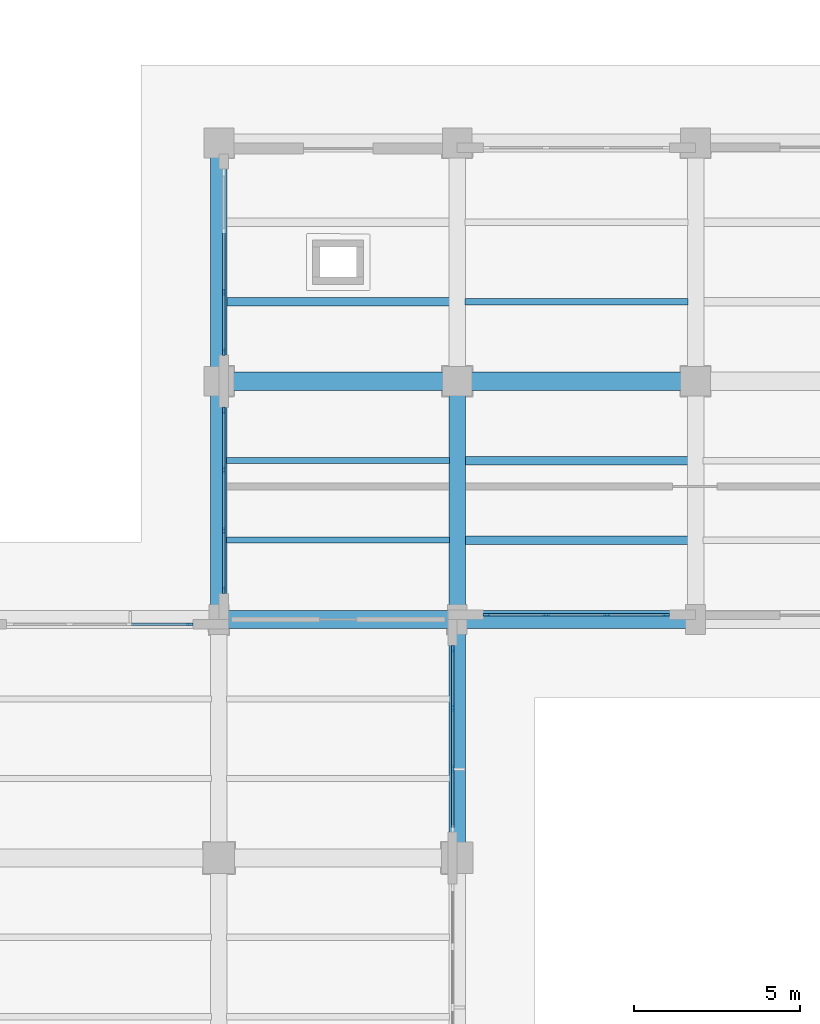
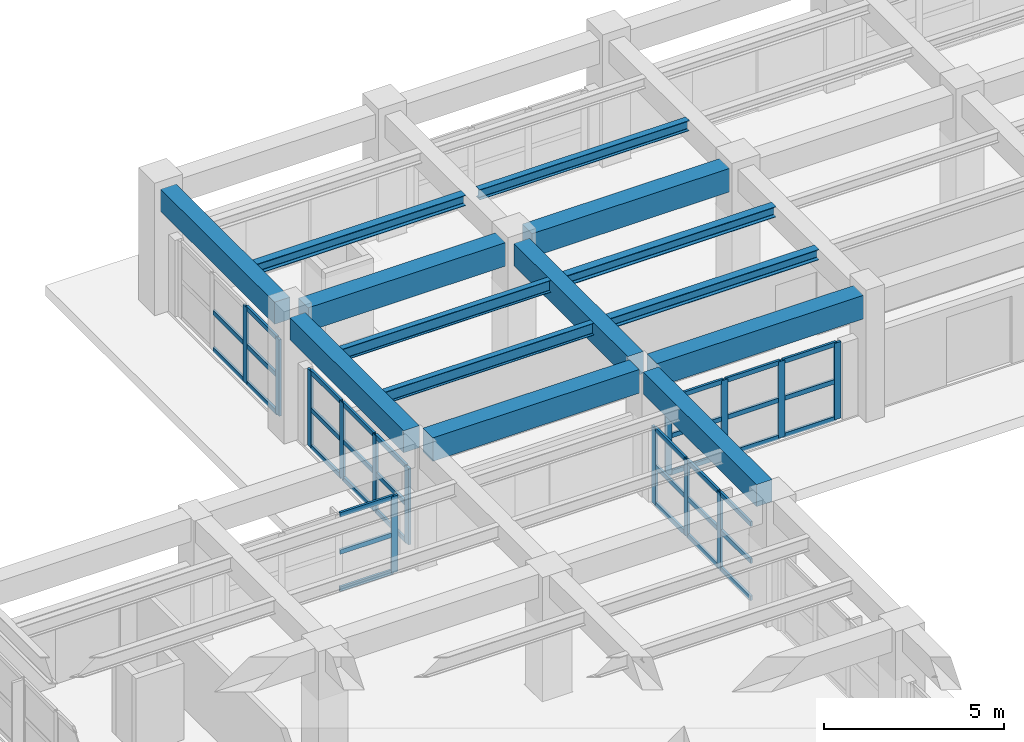
# One storey, part 20 of 64: 49 members, 14 beams, 5 elements without a shape of their own.
"""IFC4 building model written with IfcOpenShell, lengths in metres."""

from ifc_helpers import new_model, si_unit, direction, frame, origin, origin_2d, place, context, subcontext, project, spatial, rectangle, i_section, extrude, material, layer, layer_set, material_profile, profile_set, type_object, element, aggregate, save


model = new_model("IFC4")

# Units and contexts
model_context = context("Model", 3, precision=1e-05, world=origin(), true_north=direction((0.0, 1.0)))
body_context = subcontext(model_context, "Body", "Model", "MODEL_VIEW")
ifc_project = project(units=[si_unit("LENGTHUNIT", "METRE"), si_unit("AREAUNIT", "SQUARE_METRE"), si_unit("VOLUMEUNIT", "CUBIC_METRE"), si_unit("PLANEANGLEUNIT", "RADIAN"), si_unit("MASSUNIT", "GRAM", prefix="KILO")], contexts=[model_context])

# Site, building, storey
site_placement = place(None, origin())
site = spatial("IfcSite", under=ifc_project, at=site_placement, CompositionType="ELEMENT")
building_placement = place(site_placement, origin())
building = spatial("IfcBuilding", under=site, at=building_placement, Name="Solenvale Faculty of Natural Sciences", CompositionType="ELEMENT")
storey_placement = place(building_placement, origin())
storey = spatial("IfcBuildingStorey", under=building, at=storey_placement, Name="L00", CompositionType="ELEMENT", Elevation=0.0)

# Beams
ifc_material_1 = material(Name="Concrete 40 MPa", Category="concrete")
ifc_material_profile_1 = material_profile(ifc_material_1, rectangle(XDim=0.5, YDim=0.75, at=origin_2d()), Name="RC-BM-500x750")
ifc_profile_set_1 = profile_set([ifc_material_profile_1], Name="Concrete 40 MPa")
beam_type_1 = type_object("IfcBeamType", Name="BM-RC-500x750", PredefinedType="BEAM", material=ifc_profile_set_1)
for number, where, z_axis, x_axis, name in (
    (1, (50.39990234375, 94.030029296875, 3.844970703125), (0.0, 1.0, 0.0), (-1.0, 0.0, 0.0), "L00 Y-Girder X50.4 (93.6..100.8)"),
    (2, (50.39990234375, 101.22998046875, 3.844970703125), (0.0, 1.0, 0.0), (-1.0, 0.0, 0.0), "L00 Y-Girder X50.4 (100.8..108.0)"),
):
    element("IfcBeam", number, at=place(storey_placement, frame(where, z_axis=z_axis, x_axis=x_axis)), inside=storey, type_object=beam_type_1, Name=name, PredefinedType="BEAM", context=body_context, shape_type="SweptSolid", body=[
        extrude(rectangle(XDim=0.5, YDim=0.75, at=origin_2d()), origin(), (0.0, 0.0, 1.0), 6.340087890625),
    ])
beam_1_placement = place(storey_placement, frame((57.60009765625, 86.85498046875, 3.844970703125), z_axis=(0.0, 1.0, 0.0), x_axis=(-1.0, 0.0, 0.0)))
element("IfcBeam", 3, at=beam_1_placement, inside=storey, type_object=beam_type_1, Name="L00 Y-Girder X57.6 (86.4..93.6)", PredefinedType="BEAM", context=body_context, shape_type="SweptSolid", body=[
    extrude(rectangle(XDim=0.5, YDim=0.75, at=origin_2d()), origin(), (0.0, 0.0, 1.0), 6.31494140625),
])
beam_2_placement = place(storey_placement, frame((57.60009765625, 94.030029296875, 3.844970703125), z_axis=(0.0, 1.0, 0.0), x_axis=(-1.0, 0.0, 0.0)))
element("IfcBeam", 4, at=beam_2_placement, inside=storey, type_object=beam_type_1, Name="L00 Y-Girder X57.6 (93.6..100.8)", PredefinedType="BEAM", context=body_context, shape_type="SweptSolid", body=[
    extrude(rectangle(XDim=0.5, YDim=0.75, at=origin_2d()), origin(), (0.0, 0.0, 1.0), 6.340087890625),
])
ifc_material_profile_2 = material_profile(ifc_material_1, rectangle(XDim=0.550048828125, YDim=0.800048828125, at=origin_2d()), Name="RC-BM-550x800")
ifc_profile_set_2 = profile_set([ifc_material_profile_2], Name="Concrete 40 MPa")
beam_type_2 = type_object("IfcBeamType", Name="BM-RC-550x800", PredefinedType="BEAM", material=ifc_profile_set_2)
for number, where, z_axis, x_axis, name in (
    (5, (50.679931640625, 93.60009765625, 3.820068359375), (1.0, 0.0, 0.0), (0.0, 1.0, 0.0), "L00 X-Girder Y93.6 (50.4..57.6)"),
    (6, (57.8798828125, 93.60009765625, 3.820068359375), (1.0, 0.0, 0.0), (0.0, 1.0, 0.0), "L00 X-Girder Y93.6 (57.6..64.8)"),
):
    element("IfcBeam", number, at=place(storey_placement, frame(where, z_axis=z_axis, x_axis=x_axis)), inside=storey, type_object=beam_type_2, Name=name, PredefinedType="BEAM", context=body_context, shape_type="SweptSolid", body=[
        extrude(rectangle(XDim=0.550048828125, YDim=0.800048828125, at=origin_2d()), origin(), (0.0, 0.0, 1.0), 6.64013671875),
    ])
beam_3_placement = place(storey_placement, frame((50.830078125, 100.800048828125, 3.820068359375), z_axis=(1.0, 0.0, 0.0), x_axis=(0.0, 1.0, 0.0)))
element("IfcBeam", 7, at=beam_3_placement, inside=storey, type_object=beam_type_2, Name="L00 X-Girder Y100.8 (50.4..57.6)", PredefinedType="BEAM", context=body_context, shape_type="SweptSolid", body=[
    extrude(rectangle(XDim=0.550048828125, YDim=0.800048828125, at=origin_2d()), origin(), (0.0, 0.0, 1.0), 6.33984375),
])
beam_4_placement = place(storey_placement, frame((58.030029296875, 100.800048828125, 3.820068359375), z_axis=(1.0, 0.0, 0.0), x_axis=(0.0, 1.0, 0.0)))
element("IfcBeam", 8, at=beam_4_placement, inside=storey, type_object=beam_type_2, Name="L00 X-Girder Y100.8 (57.6..64.8)", PredefinedType="BEAM", context=body_context, shape_type="SweptSolid", body=[
    extrude(rectangle(XDim=0.550048828125, YDim=0.800048828125, at=origin_2d()), origin(), (0.0, 0.0, 1.0), 6.340087890625),
])
ifc_material_2 = material(Name="Steel S355", Category="steel")
ifc_material_profile_3 = material_profile(ifc_material_2, i_section(OverallWidth=0.2548828125, OverallDepth=0.35693359375, WebThickness=0.010498046875, FlangeThickness=0.018310546875, FilletRadius=0.014892578125, at=origin_2d()), Name="W360x101")
ifc_profile_set_3 = profile_set([ifc_material_profile_3], Name="Steel S355")
beam_type_3 = type_object("IfcBeamType", Name="BM-STL-W360x101", PredefinedType="JOIST", material=ifc_profile_set_3)
beam_5_placement = place(storey_placement, frame((50.6298828125, 103.199951171875, 4.04150390625), z_axis=(1.0, 0.0, 0.0), x_axis=(0.0, 1.0, 0.0)))
element("IfcBeam", 9, at=beam_5_placement, inside=storey, type_object=beam_type_3, Name="L00 Composite Floor Joist (8,15).1", PredefinedType="JOIST", context=body_context, shape_type="SweptSolid", body=[
    extrude(i_section(OverallWidth=0.2548828125, OverallDepth=0.35693359375, WebThickness=0.010498046875, FlangeThickness=0.018310546875, FilletRadius=0.014892578125, at=origin_2d()), origin(), (0.0, 0.0, 1.0), 6.740234375),
])
for number, where, z_axis, x_axis, name in (
    (10, (57.830078125, 96.0, 4.04150390625), (1.0, 0.0, 0.0), (0.0, 1.0, 0.0), "L00 Composite Floor Joist (9,14).1"),
    (11, (57.830078125, 98.39990234375, 4.04150390625), (1.0, 0.0, 0.0), (0.0, 1.0, 0.0), "L00 Composite Floor Joist (9,14).2"),
):
    element("IfcBeam", number, at=place(storey_placement, frame(where, z_axis=z_axis, x_axis=x_axis)), inside=storey, type_object=beam_type_3, Name=name, PredefinedType="JOIST", context=body_context, shape_type="SweptSolid", body=[
        extrude(i_section(OverallWidth=0.2548828125, OverallDepth=0.35693359375, WebThickness=0.010498046875, FlangeThickness=0.018310546875, FilletRadius=0.014892578125, at=origin_2d()), origin(), (0.0, 0.0, 1.0), 6.739990234375),
    ])
ifc_material_profile_4 = material_profile(ifc_material_2, i_section(OverallWidth=0.2041015625, OverallDepth=0.35009765625, WebThickness=0.008544921875, FlangeThickness=0.01513671875, FilletRadius=0.014892578125, at=origin_2d()), Name="W360x72")
ifc_profile_set_4 = profile_set([ifc_material_profile_4], Name="Steel S355")
beam_type_4 = type_object("IfcBeamType", Name="BM-STL-W360x72", PredefinedType="JOIST", material=ifc_profile_set_4)
beam_6_placement = place(storey_placement, frame((57.830078125, 103.199951171875, 4.044921875), z_axis=(1.0, 0.0, 0.0), x_axis=(0.0, 1.0, 0.0)))
element("IfcBeam", 12, at=beam_6_placement, inside=storey, type_object=beam_type_4, Name="L00 Composite Floor Joist (9,15).1", PredefinedType="JOIST", context=body_context, shape_type="SweptSolid", body=[
    extrude(i_section(OverallWidth=0.2041015625, OverallDepth=0.35009765625, WebThickness=0.008544921875, FlangeThickness=0.01513671875, FilletRadius=0.014892578125, at=origin_2d()), origin(), (0.0, 0.0, 1.0), 6.739990234375),
])
ifc_material_profile_5 = material_profile(ifc_material_2, i_section(OverallWidth=0.178955078125, OverallDepth=0.409912109375, WebThickness=0.0087890625, FlangeThickness=0.014404296875, FilletRadius=0.01611328125, at=origin_2d()), Name="W410x67")
ifc_profile_set_5 = profile_set([ifc_material_profile_5], Name="Steel S355")
beam_type_5 = type_object("IfcBeamType", Name="BM-STL-W410x67", PredefinedType="JOIST", material=ifc_profile_set_5)
for number, where, z_axis, x_axis, name in (
    (13, (50.6298828125, 96.0, 4.014892578125), (1.0, 0.0, 0.0), (0.0, 1.0, 0.0), "L00 Composite Floor Joist (8,14).1"),
    (14, (50.6298828125, 98.39990234375, 4.014892578125), (1.0, 0.0, 0.0), (0.0, 1.0, 0.0), "L00 Composite Floor Joist (8,14).2"),
):
    element("IfcBeam", number, at=place(storey_placement, frame(where, z_axis=z_axis, x_axis=x_axis)), inside=storey, type_object=beam_type_5, Name=name, PredefinedType="JOIST", context=body_context, shape_type="SweptSolid", body=[
        extrude(i_section(OverallWidth=0.178955078125, OverallDepth=0.409912109375, WebThickness=0.0087890625, FlangeThickness=0.014404296875, FilletRadius=0.01611328125, at=origin_2d()), origin(), (0.0, 0.0, 1.0), 6.740234375),
    ])

# Curtain wall, members
ifc_material_3 = material(Name="Anodised bronze aluminium", Category="aluminium")
ifc_layer_1 = layer(ifc_material_3, 0.215087890625)
ifc_layer_set_1 = layer_set([ifc_layer_1], Name="Anodised bronze aluminium")
curtain_wall_type_1 = type_object("IfcCurtainWallType", Name="CW-ATR-UNIT", PredefinedType="USERDEFINED", material=ifc_layer_set_1)
curtain_wall_1_placement = place(storey_placement, origin())
curtain_wall_1 = element("IfcCurtainWall", 15, at=curtain_wall_1_placement, inside=storey, type_object=curtain_wall_type_1, Name="L00 Curtain Wall CW-L00-P1-E10-B6", ObjectType="UNITISED CURTAIN WALL", PredefinedType="USERDEFINED")
ifc_material_profile_6 = material_profile(ifc_material_3, rectangle(XDim=0.074951171875, YDim=0.2099609375, at=origin_2d()), Name="ALU-MUL-75x210")
ifc_profile_set_6 = profile_set([ifc_material_profile_6], Name="Anodised bronze aluminium")
member_type_1 = type_object("IfcMemberType", Name="CWM-ALU-75x210", PredefinedType="MULLION", material=ifc_profile_set_6)
member_1_placement = place(storey_placement, frame((57.45751953125, 89.083251953125, 0.0), z_axis=(0.0, 0.0, 1.0), x_axis=(-1.0, 0.0, 0.0)))
member_1 = element("IfcMember", 16, at=member_1_placement, type_object=member_type_1, Name="CW-01 mullion 2", PredefinedType="MULLION", context=body_context, shape_type="SweptSolid", body=[
    extrude(rectangle(XDim=0.074951171875, YDim=0.2099609375, at=origin_2d()), origin(), (0.0, 0.0, 1.0), 2.60009765625),
])
member_2_placement = place(storey_placement, frame((57.45751953125, 90.916748046875, 0.0), z_axis=(0.0, 0.0, 1.0), x_axis=(-1.0, 0.0, 0.0)))
member_2 = element("IfcMember", 17, at=member_2_placement, type_object=member_type_1, Name="CW-01 mullion 3", PredefinedType="MULLION", context=body_context, shape_type="SweptSolid", body=[
    extrude(rectangle(XDim=0.074951171875, YDim=0.2099609375, at=origin_2d()), origin(), (0.0, 0.0, 1.0), 2.60009765625),
])
member_3_placement = place(storey_placement, frame((57.45751953125, 92.71240234375, 0.0), z_axis=(0.0, 0.0, 1.0), x_axis=(-1.0, 0.0, 0.0)))
member_3 = element("IfcMember", 18, at=member_3_placement, type_object=member_type_1, Name="CW-01 mullion 4", PredefinedType="MULLION", context=body_context, shape_type="SweptSolid", body=[
    extrude(rectangle(XDim=0.074951171875, YDim=0.2099609375, at=origin_2d()), origin(), (0.0, 0.0, 1.0), 2.60009765625),
])

ifc_layer_2 = layer(ifc_material_3, 0.179931640625)
ifc_layer_set_2 = layer_set([ifc_layer_2], Name="Anodised bronze aluminium")
curtain_wall_type_2 = type_object("IfcCurtainWallType", Name="CW-TWR-MOD", PredefinedType="USERDEFINED", material=ifc_layer_set_2)
curtain_wall_2_placement = place(storey_placement, origin())
curtain_wall_2 = element("IfcCurtainWall", 19, at=curtain_wall_2_placement, inside=storey, type_object=curtain_wall_type_2, Name="L00 Curtain Wall CW-L00-P1-E11-B1", ObjectType="UNITISED CURTAIN WALL", PredefinedType="USERDEFINED")
member_4_placement = place(storey_placement, frame((58.487548828125, 93.742431640625, 0.0), z_axis=(0.0, 0.0, 1.0), x_axis=(0.0, 1.0, 0.0)))
member_4 = element("IfcMember", 20, at=member_4_placement, type_object=member_type_1, Name="CW-04 mullion 1", PredefinedType="MULLION", context=body_context, shape_type="SweptSolid", body=[
    extrude(rectangle(XDim=0.074951171875, YDim=0.2099609375, at=origin_2d()), origin(), (0.0, 0.0, 1.0), 2.60009765625),
])
member_5_placement = place(storey_placement, frame((60.283447265625, 93.742431640625, 0.0), z_axis=(0.0, 0.0, 1.0), x_axis=(0.0, 1.0, 0.0)))
member_5 = element("IfcMember", 21, at=member_5_placement, type_object=member_type_1, Name="CW-04 mullion 2", PredefinedType="MULLION", context=body_context, shape_type="SweptSolid", body=[
    extrude(rectangle(XDim=0.074951171875, YDim=0.2099609375, at=origin_2d()), origin(), (0.0, 0.0, 1.0), 2.60009765625),
])
member_6_placement = place(storey_placement, frame((62.11669921875, 93.742431640625, 0.0), z_axis=(0.0, 0.0, 1.0), x_axis=(0.0, 1.0, 0.0)))
member_6 = element("IfcMember", 22, at=member_6_placement, type_object=member_type_1, Name="CW-04 mullion 3", PredefinedType="MULLION", context=body_context, shape_type="SweptSolid", body=[
    extrude(rectangle(XDim=0.074951171875, YDim=0.2099609375, at=origin_2d()), origin(), (0.0, 0.0, 1.0), 2.60009765625),
])
member_7_placement = place(storey_placement, frame((63.91259765625, 93.742431640625, 0.0), z_axis=(0.0, 0.0, 1.0), x_axis=(0.0, 1.0, 0.0)))
member_7 = element("IfcMember", 23, at=member_7_placement, type_object=member_type_1, Name="CW-04 mullion 4", PredefinedType="MULLION", context=body_context, shape_type="SweptSolid", body=[
    extrude(rectangle(XDim=0.074951171875, YDim=0.2099609375, at=origin_2d()), origin(), (0.0, 0.0, 1.0), 2.60009765625),
])

curtain_wall_3_placement = place(storey_placement, origin())
curtain_wall_3 = element("IfcCurtainWall", 24, at=curtain_wall_3_placement, inside=storey, type_object=curtain_wall_type_2, Name="L00 Curtain Wall CW-L00-P1-E20-B1", ObjectType="UNITISED CURTAIN WALL", PredefinedType="USERDEFINED")
member_8_placement = place(storey_placement, frame((50.54248046875, 103.4833984375, 0.0), z_axis=(0.0, 0.0, 1.0), x_axis=(1.0, 0.0, 0.0)))
member_8 = element("IfcMember", 25, at=member_8_placement, type_object=member_type_1, Name="CW-04 mullion 3", PredefinedType="MULLION", context=body_context, shape_type="SweptSolid", body=[
    extrude(rectangle(XDim=0.074951171875, YDim=0.2099609375, at=origin_2d()), origin(), (0.0, 0.0, 1.0), 2.60009765625),
])
member_9_placement = place(storey_placement, frame((50.54248046875, 101.6875, 0.0), z_axis=(0.0, 0.0, 1.0), x_axis=(1.0, 0.0, 0.0)))
member_9 = element("IfcMember", 26, at=member_9_placement, type_object=member_type_1, Name="CW-04 mullion 4", PredefinedType="MULLION", context=body_context, shape_type="SweptSolid", body=[
    extrude(rectangle(XDim=0.074951171875, YDim=0.2099609375, at=origin_2d()), origin(), (0.0, 0.0, 1.0), 2.60009765625),
])

curtain_wall_4_placement = place(storey_placement, origin())
curtain_wall_4 = element("IfcCurtainWall", 27, at=curtain_wall_4_placement, inside=storey, type_object=curtain_wall_type_2, Name="L00 Curtain Wall CW-L00-P1-E20-B2", ObjectType="UNITISED CURTAIN WALL", PredefinedType="USERDEFINED")
member_10_placement = place(storey_placement, frame((50.54248046875, 99.91259765625, 0.0), z_axis=(0.0, 0.0, 1.0), x_axis=(1.0, 0.0, 0.0)))
member_10 = element("IfcMember", 28, at=member_10_placement, type_object=member_type_1, Name="CW-04 mullion 1", PredefinedType="MULLION", context=body_context, shape_type="SweptSolid", body=[
    extrude(rectangle(XDim=0.074951171875, YDim=0.2099609375, at=origin_2d()), origin(), (0.0, 0.0, 1.0), 2.60009765625),
])
member_11_placement = place(storey_placement, frame((50.54248046875, 98.11669921875, 0.0), z_axis=(0.0, 0.0, 1.0), x_axis=(1.0, 0.0, 0.0)))
member_11 = element("IfcMember", 29, at=member_11_placement, type_object=member_type_1, Name="CW-04 mullion 2", PredefinedType="MULLION", context=body_context, shape_type="SweptSolid", body=[
    extrude(rectangle(XDim=0.074951171875, YDim=0.2099609375, at=origin_2d()), origin(), (0.0, 0.0, 1.0), 2.60009765625),
])
member_12_placement = place(storey_placement, frame((50.54248046875, 96.283447265625, 0.0), z_axis=(0.0, 0.0, 1.0), x_axis=(1.0, 0.0, 0.0)))
member_12 = element("IfcMember", 30, at=member_12_placement, type_object=member_type_1, Name="CW-04 mullion 3", PredefinedType="MULLION", context=body_context, shape_type="SweptSolid", body=[
    extrude(rectangle(XDim=0.074951171875, YDim=0.2099609375, at=origin_2d()), origin(), (0.0, 0.0, 1.0), 2.60009765625),
])
member_13_placement = place(storey_placement, frame((50.54248046875, 94.487548828125, 0.0), z_axis=(0.0, 0.0, 1.0), x_axis=(1.0, 0.0, 0.0)))
member_13 = element("IfcMember", 31, at=member_13_placement, type_object=member_type_1, Name="CW-04 mullion 4", PredefinedType="MULLION", context=body_context, shape_type="SweptSolid", body=[
    extrude(rectangle(XDim=0.074951171875, YDim=0.2099609375, at=origin_2d()), origin(), (0.0, 0.0, 1.0), 2.60009765625),
])

# Curtain wall, member
curtain_wall_5_placement = place(storey_placement, origin())
curtain_wall_5 = element("IfcCurtainWall", 32, at=curtain_wall_5_placement, inside=storey, type_object=curtain_wall_type_1, Name="L00 Curtain Wall CW-L00-P1-E21-B1", ObjectType="UNITISED CURTAIN WALL", PredefinedType="USERDEFINED")
member_14_placement = place(storey_placement, frame((49.512451171875, 93.45751953125, 0.0), z_axis=(0.0, 0.0, 1.0), x_axis=(0.0, -1.0, 0.0)))
member_14 = element("IfcMember", 33, at=member_14_placement, type_object=member_type_1, Name="CW-01 mullion 1", PredefinedType="MULLION", context=body_context, shape_type="SweptSolid", body=[
    extrude(rectangle(XDim=0.074951171875, YDim=0.2099609375, at=origin_2d()), origin(), (0.0, 0.0, 1.0), 2.60009765625),
])

# Member
ifc_material_profile_7 = material_profile(ifc_material_3, rectangle(XDim=0.074951171875, YDim=0.155029296875, at=origin_2d()), Name="ALU-TRN-75x155")
ifc_profile_set_7 = profile_set([ifc_material_profile_7], Name="Anodised bronze aluminium")
member_type_2 = type_object("IfcMemberType", Name="CWT-ALU-75x155", PredefinedType="USERDEFINED", material=ifc_profile_set_7)
member_15_placement = place(storey_placement, frame((57.45751953125, 87.324951171875, 0.03759765625), z_axis=(0.0, 1.0, 0.0), x_axis=(-1.0, 0.0, 0.0)))
member_15 = element("IfcMember", 34, at=member_15_placement, type_object=member_type_2, Name="CW-01 transom 1.1", ObjectType="TRANSOM", PredefinedType="USERDEFINED", context=body_context, shape_type="SweptSolid", body=[
    extrude(rectangle(XDim=0.074951171875, YDim=0.155029296875, at=origin_2d()), origin(), (0.0, 0.0, 1.0), 1.720947265625),
])

member_16_placement = place(storey_placement, frame((57.45751953125, 87.324951171875, 1.300048828125), z_axis=(0.0, 1.0, 0.0), x_axis=(-1.0, 0.0, 0.0)))
member_16 = element("IfcMember", 35, at=member_16_placement, type_object=member_type_2, Name="CW-01 transom 1.2", ObjectType="TRANSOM", PredefinedType="USERDEFINED", context=body_context, shape_type="SweptSolid", body=[
    extrude(rectangle(XDim=0.074951171875, YDim=0.155029296875, at=origin_2d()), origin(), (0.0, 0.0, 1.0), 1.720947265625),
])

member_17_placement = place(storey_placement, frame((57.45751953125, 87.324951171875, 2.5625), z_axis=(0.0, 1.0, 0.0), x_axis=(-1.0, 0.0, 0.0)))
member_17 = element("IfcMember", 36, at=member_17_placement, type_object=member_type_2, Name="CW-01 transom 1.3", ObjectType="TRANSOM", PredefinedType="USERDEFINED", context=body_context, shape_type="SweptSolid", body=[
    extrude(rectangle(XDim=0.074951171875, YDim=0.155029296875, at=origin_2d()), origin(), (0.0, 0.0, 1.0), 1.720947265625),
])

member_18_placement = place(storey_placement, frame((57.45751953125, 89.120849609375, 0.03759765625), z_axis=(0.0, 1.0, 0.0), x_axis=(-1.0, 0.0, 0.0)))
member_18 = element("IfcMember", 37, at=member_18_placement, type_object=member_type_2, Name="CW-01 transom 2.1", ObjectType="TRANSOM", PredefinedType="USERDEFINED", context=body_context, shape_type="SweptSolid", body=[
    extrude(rectangle(XDim=0.074951171875, YDim=0.155029296875, at=origin_2d()), origin(), (0.0, 0.0, 1.0), 1.75830078125),
])

member_19_placement = place(storey_placement, frame((57.45751953125, 89.120849609375, 1.300048828125), z_axis=(0.0, 1.0, 0.0), x_axis=(-1.0, 0.0, 0.0)))
member_19 = element("IfcMember", 38, at=member_19_placement, type_object=member_type_2, Name="CW-01 transom 2.2", ObjectType="TRANSOM", PredefinedType="USERDEFINED", context=body_context, shape_type="SweptSolid", body=[
    extrude(rectangle(XDim=0.074951171875, YDim=0.155029296875, at=origin_2d()), origin(), (0.0, 0.0, 1.0), 1.75830078125),
])

member_20_placement = place(storey_placement, frame((57.45751953125, 89.120849609375, 2.5625), z_axis=(0.0, 1.0, 0.0), x_axis=(-1.0, 0.0, 0.0)))
member_20 = element("IfcMember", 39, at=member_20_placement, type_object=member_type_2, Name="CW-01 transom 2.3", ObjectType="TRANSOM", PredefinedType="USERDEFINED", context=body_context, shape_type="SweptSolid", body=[
    extrude(rectangle(XDim=0.074951171875, YDim=0.155029296875, at=origin_2d()), origin(), (0.0, 0.0, 1.0), 1.75830078125),
])

member_21_placement = place(storey_placement, frame((57.45751953125, 90.9541015625, 0.03759765625), z_axis=(0.0, 1.0, 0.0), x_axis=(-1.0, 0.0, 0.0)))
member_21 = element("IfcMember", 40, at=member_21_placement, type_object=member_type_2, Name="CW-01 transom 3.1", ObjectType="TRANSOM", PredefinedType="USERDEFINED", context=body_context, shape_type="SweptSolid", body=[
    extrude(rectangle(XDim=0.074951171875, YDim=0.155029296875, at=origin_2d()), origin(), (0.0, 0.0, 1.0), 1.720947265625),
])

member_22_placement = place(storey_placement, frame((57.45751953125, 90.9541015625, 1.300048828125), z_axis=(0.0, 1.0, 0.0), x_axis=(-1.0, 0.0, 0.0)))
member_22 = element("IfcMember", 41, at=member_22_placement, type_object=member_type_2, Name="CW-01 transom 3.2", ObjectType="TRANSOM", PredefinedType="USERDEFINED", context=body_context, shape_type="SweptSolid", body=[
    extrude(rectangle(XDim=0.074951171875, YDim=0.155029296875, at=origin_2d()), origin(), (0.0, 0.0, 1.0), 1.720947265625),
])

member_23_placement = place(storey_placement, frame((57.45751953125, 90.9541015625, 2.5625), z_axis=(0.0, 1.0, 0.0), x_axis=(-1.0, 0.0, 0.0)))
member_23 = element("IfcMember", 42, at=member_23_placement, type_object=member_type_2, Name="CW-01 transom 3.3", ObjectType="TRANSOM", PredefinedType="USERDEFINED", context=body_context, shape_type="SweptSolid", body=[
    extrude(rectangle(XDim=0.074951171875, YDim=0.155029296875, at=origin_2d()), origin(), (0.0, 0.0, 1.0), 1.720947265625),
])

aggregate(curtain_wall_1, [member_1, member_2, member_3, member_15, member_16, member_17, member_18, member_19, member_20, member_21, member_22, member_23])

member_24_placement = place(storey_placement, frame((58.52490234375, 93.742431640625, 0.03759765625), z_axis=(1.0, 0.0, 0.0), x_axis=(0.0, 1.0, 0.0)))
member_24 = element("IfcMember", 43, at=member_24_placement, type_object=member_type_2, Name="CW-04 transom 1.1", ObjectType="TRANSOM", PredefinedType="USERDEFINED", context=body_context, shape_type="SweptSolid", body=[
    extrude(rectangle(XDim=0.074951171875, YDim=0.155029296875, at=origin_2d()), origin(), (0.0, 0.0, 1.0), 1.720947265625),
])

member_25_placement = place(storey_placement, frame((58.52490234375, 93.742431640625, 1.300048828125), z_axis=(1.0, 0.0, 0.0), x_axis=(0.0, 1.0, 0.0)))
member_25 = element("IfcMember", 44, at=member_25_placement, type_object=member_type_2, Name="CW-04 transom 1.2", ObjectType="TRANSOM", PredefinedType="USERDEFINED", context=body_context, shape_type="SweptSolid", body=[
    extrude(rectangle(XDim=0.074951171875, YDim=0.155029296875, at=origin_2d()), origin(), (0.0, 0.0, 1.0), 1.720947265625),
])

member_26_placement = place(storey_placement, frame((58.52490234375, 93.742431640625, 2.5625), z_axis=(1.0, 0.0, 0.0), x_axis=(0.0, 1.0, 0.0)))
member_26 = element("IfcMember", 45, at=member_26_placement, type_object=member_type_2, Name="CW-04 transom 1.3", ObjectType="TRANSOM", PredefinedType="USERDEFINED", context=body_context, shape_type="SweptSolid", body=[
    extrude(rectangle(XDim=0.074951171875, YDim=0.155029296875, at=origin_2d()), origin(), (0.0, 0.0, 1.0), 1.720947265625),
])

member_27_placement = place(storey_placement, frame((60.32080078125, 93.742431640625, 0.03759765625), z_axis=(1.0, 0.0, 0.0), x_axis=(0.0, 1.0, 0.0)))
member_27 = element("IfcMember", 46, at=member_27_placement, type_object=member_type_2, Name="CW-04 transom 2.1", ObjectType="TRANSOM", PredefinedType="USERDEFINED", context=body_context, shape_type="SweptSolid", body=[
    extrude(rectangle(XDim=0.074951171875, YDim=0.155029296875, at=origin_2d()), origin(), (0.0, 0.0, 1.0), 1.75830078125),
])

member_28_placement = place(storey_placement, frame((60.32080078125, 93.742431640625, 1.300048828125), z_axis=(1.0, 0.0, 0.0), x_axis=(0.0, 1.0, 0.0)))
member_28 = element("IfcMember", 47, at=member_28_placement, type_object=member_type_2, Name="CW-04 transom 2.2", ObjectType="TRANSOM", PredefinedType="USERDEFINED", context=body_context, shape_type="SweptSolid", body=[
    extrude(rectangle(XDim=0.074951171875, YDim=0.155029296875, at=origin_2d()), origin(), (0.0, 0.0, 1.0), 1.75830078125),
])

member_29_placement = place(storey_placement, frame((60.32080078125, 93.742431640625, 2.5625), z_axis=(1.0, 0.0, 0.0), x_axis=(0.0, 1.0, 0.0)))
member_29 = element("IfcMember", 48, at=member_29_placement, type_object=member_type_2, Name="CW-04 transom 2.3", ObjectType="TRANSOM", PredefinedType="USERDEFINED", context=body_context, shape_type="SweptSolid", body=[
    extrude(rectangle(XDim=0.074951171875, YDim=0.155029296875, at=origin_2d()), origin(), (0.0, 0.0, 1.0), 1.75830078125),
])

member_30_placement = place(storey_placement, frame((62.154052734375, 93.742431640625, 0.03759765625), z_axis=(1.0, 0.0, 0.0), x_axis=(0.0, 1.0, 0.0)))
member_30 = element("IfcMember", 49, at=member_30_placement, type_object=member_type_2, Name="CW-04 transom 3.1", ObjectType="TRANSOM", PredefinedType="USERDEFINED", context=body_context, shape_type="SweptSolid", body=[
    extrude(rectangle(XDim=0.074951171875, YDim=0.155029296875, at=origin_2d()), origin(), (0.0, 0.0, 1.0), 1.720947265625),
])

member_31_placement = place(storey_placement, frame((62.154052734375, 93.742431640625, 1.300048828125), z_axis=(1.0, 0.0, 0.0), x_axis=(0.0, 1.0, 0.0)))
member_31 = element("IfcMember", 50, at=member_31_placement, type_object=member_type_2, Name="CW-04 transom 3.2", ObjectType="TRANSOM", PredefinedType="USERDEFINED", context=body_context, shape_type="SweptSolid", body=[
    extrude(rectangle(XDim=0.074951171875, YDim=0.155029296875, at=origin_2d()), origin(), (0.0, 0.0, 1.0), 1.720947265625),
])

member_32_placement = place(storey_placement, frame((62.154052734375, 93.742431640625, 2.5625), z_axis=(1.0, 0.0, 0.0), x_axis=(0.0, 1.0, 0.0)))
member_32 = element("IfcMember", 51, at=member_32_placement, type_object=member_type_2, Name="CW-04 transom 3.3", ObjectType="TRANSOM", PredefinedType="USERDEFINED", context=body_context, shape_type="SweptSolid", body=[
    extrude(rectangle(XDim=0.074951171875, YDim=0.155029296875, at=origin_2d()), origin(), (0.0, 0.0, 1.0), 1.720947265625),
])

aggregate(curtain_wall_2, [member_4, member_5, member_6, member_7, member_24, member_25, member_26, member_27, member_28, member_29, member_30, member_31, member_32])

member_33_placement = place(storey_placement, frame((50.54248046875, 105.279052734375, 0.03759765625), z_axis=(0.0, -1.0, 0.0), x_axis=(1.0, 0.0, 0.0)))
member_33 = element("IfcMember", 52, at=member_33_placement, type_object=member_type_2, Name="CW-04 transom 2.1", ObjectType="TRANSOM", PredefinedType="USERDEFINED", context=body_context, shape_type="SweptSolid", body=[
    extrude(rectangle(XDim=0.074951171875, YDim=0.155029296875, at=origin_2d()), origin(), (0.0, 0.0, 1.0), 1.75830078125),
])

member_34_placement = place(storey_placement, frame((50.54248046875, 105.279052734375, 1.300048828125), z_axis=(0.0, -1.0, 0.0), x_axis=(1.0, 0.0, 0.0)))
member_34 = element("IfcMember", 53, at=member_34_placement, type_object=member_type_2, Name="CW-04 transom 2.2", ObjectType="TRANSOM", PredefinedType="USERDEFINED", context=body_context, shape_type="SweptSolid", body=[
    extrude(rectangle(XDim=0.074951171875, YDim=0.155029296875, at=origin_2d()), origin(), (0.0, 0.0, 1.0), 1.75830078125),
])

member_35_placement = place(storey_placement, frame((50.54248046875, 103.44580078125, 0.03759765625), z_axis=(0.0, -1.0, 0.0), x_axis=(1.0, 0.0, 0.0)))
member_35 = element("IfcMember", 54, at=member_35_placement, type_object=member_type_2, Name="CW-04 transom 3.1", ObjectType="TRANSOM", PredefinedType="USERDEFINED", context=body_context, shape_type="SweptSolid", body=[
    extrude(rectangle(XDim=0.074951171875, YDim=0.155029296875, at=origin_2d()), origin(), (0.0, 0.0, 1.0), 1.720703125),
])

member_36_placement = place(storey_placement, frame((50.54248046875, 103.44580078125, 1.300048828125), z_axis=(0.0, -1.0, 0.0), x_axis=(1.0, 0.0, 0.0)))
member_36 = element("IfcMember", 55, at=member_36_placement, type_object=member_type_2, Name="CW-04 transom 3.2", ObjectType="TRANSOM", PredefinedType="USERDEFINED", context=body_context, shape_type="SweptSolid", body=[
    extrude(rectangle(XDim=0.074951171875, YDim=0.155029296875, at=origin_2d()), origin(), (0.0, 0.0, 1.0), 1.720703125),
])

member_37_placement = place(storey_placement, frame((50.54248046875, 103.44580078125, 2.5625), z_axis=(0.0, -1.0, 0.0), x_axis=(1.0, 0.0, 0.0)))
member_37 = element("IfcMember", 56, at=member_37_placement, type_object=member_type_2, Name="CW-04 transom 3.3", ObjectType="TRANSOM", PredefinedType="USERDEFINED", context=body_context, shape_type="SweptSolid", body=[
    extrude(rectangle(XDim=0.074951171875, YDim=0.155029296875, at=origin_2d()), origin(), (0.0, 0.0, 1.0), 1.720703125),
])

aggregate(curtain_wall_3, [member_8, member_9, member_33, member_34, member_35, member_36, member_37])

member_38_placement = place(storey_placement, frame((50.54248046875, 99.875, 0.03759765625), z_axis=(0.0, -1.0, 0.0), x_axis=(1.0, 0.0, 0.0)))
member_38 = element("IfcMember", 57, at=member_38_placement, type_object=member_type_2, Name="CW-04 transom 1.1", ObjectType="TRANSOM", PredefinedType="USERDEFINED", context=body_context, shape_type="SweptSolid", body=[
    extrude(rectangle(XDim=0.074951171875, YDim=0.155029296875, at=origin_2d()), origin(), (0.0, 0.0, 1.0), 1.720947265625),
])

member_39_placement = place(storey_placement, frame((50.54248046875, 99.875, 1.300048828125), z_axis=(0.0, -1.0, 0.0), x_axis=(1.0, 0.0, 0.0)))
member_39 = element("IfcMember", 58, at=member_39_placement, type_object=member_type_2, Name="CW-04 transom 1.2", ObjectType="TRANSOM", PredefinedType="USERDEFINED", context=body_context, shape_type="SweptSolid", body=[
    extrude(rectangle(XDim=0.074951171875, YDim=0.155029296875, at=origin_2d()), origin(), (0.0, 0.0, 1.0), 1.720947265625),
])

member_40_placement = place(storey_placement, frame((50.54248046875, 99.875, 2.5625), z_axis=(0.0, -1.0, 0.0), x_axis=(1.0, 0.0, 0.0)))
member_40 = element("IfcMember", 59, at=member_40_placement, type_object=member_type_2, Name="CW-04 transom 1.3", ObjectType="TRANSOM", PredefinedType="USERDEFINED", context=body_context, shape_type="SweptSolid", body=[
    extrude(rectangle(XDim=0.074951171875, YDim=0.155029296875, at=origin_2d()), origin(), (0.0, 0.0, 1.0), 1.720947265625),
])

member_41_placement = place(storey_placement, frame((50.54248046875, 98.0791015625, 0.03759765625), z_axis=(0.0, -1.0, 0.0), x_axis=(1.0, 0.0, 0.0)))
member_41 = element("IfcMember", 60, at=member_41_placement, type_object=member_type_2, Name="CW-04 transom 2.1", ObjectType="TRANSOM", PredefinedType="USERDEFINED", context=body_context, shape_type="SweptSolid", body=[
    extrude(rectangle(XDim=0.074951171875, YDim=0.155029296875, at=origin_2d()), origin(), (0.0, 0.0, 1.0), 1.75830078125),
])

member_42_placement = place(storey_placement, frame((50.54248046875, 98.0791015625, 1.300048828125), z_axis=(0.0, -1.0, 0.0), x_axis=(1.0, 0.0, 0.0)))
member_42 = element("IfcMember", 61, at=member_42_placement, type_object=member_type_2, Name="CW-04 transom 2.2", ObjectType="TRANSOM", PredefinedType="USERDEFINED", context=body_context, shape_type="SweptSolid", body=[
    extrude(rectangle(XDim=0.074951171875, YDim=0.155029296875, at=origin_2d()), origin(), (0.0, 0.0, 1.0), 1.75830078125),
])

member_43_placement = place(storey_placement, frame((50.54248046875, 98.0791015625, 2.5625), z_axis=(0.0, -1.0, 0.0), x_axis=(1.0, 0.0, 0.0)))
member_43 = element("IfcMember", 62, at=member_43_placement, type_object=member_type_2, Name="CW-04 transom 2.3", ObjectType="TRANSOM", PredefinedType="USERDEFINED", context=body_context, shape_type="SweptSolid", body=[
    extrude(rectangle(XDim=0.074951171875, YDim=0.155029296875, at=origin_2d()), origin(), (0.0, 0.0, 1.0), 1.75830078125),
])

member_44_placement = place(storey_placement, frame((50.54248046875, 96.245849609375, 0.03759765625), z_axis=(0.0, -1.0, 0.0), x_axis=(1.0, 0.0, 0.0)))
member_44 = element("IfcMember", 63, at=member_44_placement, type_object=member_type_2, Name="CW-04 transom 3.1", ObjectType="TRANSOM", PredefinedType="USERDEFINED", context=body_context, shape_type="SweptSolid", body=[
    extrude(rectangle(XDim=0.074951171875, YDim=0.155029296875, at=origin_2d()), origin(), (0.0, 0.0, 1.0), 1.720947265625),
])

member_45_placement = place(storey_placement, frame((50.54248046875, 96.245849609375, 1.300048828125), z_axis=(0.0, -1.0, 0.0), x_axis=(1.0, 0.0, 0.0)))
member_45 = element("IfcMember", 64, at=member_45_placement, type_object=member_type_2, Name="CW-04 transom 3.2", ObjectType="TRANSOM", PredefinedType="USERDEFINED", context=body_context, shape_type="SweptSolid", body=[
    extrude(rectangle(XDim=0.074951171875, YDim=0.155029296875, at=origin_2d()), origin(), (0.0, 0.0, 1.0), 1.720947265625),
])

member_46_placement = place(storey_placement, frame((50.54248046875, 96.245849609375, 2.5625), z_axis=(0.0, -1.0, 0.0), x_axis=(1.0, 0.0, 0.0)))
member_46 = element("IfcMember", 65, at=member_46_placement, type_object=member_type_2, Name="CW-04 transom 3.3", ObjectType="TRANSOM", PredefinedType="USERDEFINED", context=body_context, shape_type="SweptSolid", body=[
    extrude(rectangle(XDim=0.074951171875, YDim=0.155029296875, at=origin_2d()), origin(), (0.0, 0.0, 1.0), 1.720947265625),
])

aggregate(curtain_wall_4, [member_10, member_11, member_12, member_13, member_38, member_39, member_40, member_41, member_42, member_43, member_44, member_45, member_46])

member_47_placement = place(storey_placement, frame((49.47509765625, 93.45751953125, 0.03759765625), z_axis=(-1.0, 0.0, 0.0), x_axis=(0.0, -1.0, 0.0)))
member_47 = element("IfcMember", 66, at=member_47_placement, type_object=member_type_2, Name="CW-01 transom 1.1", ObjectType="TRANSOM", PredefinedType="USERDEFINED", context=body_context, shape_type="SweptSolid", body=[
    extrude(rectangle(XDim=0.074951171875, YDim=0.155029296875, at=origin_2d()), origin(), (0.0, 0.0, 1.0), 1.720947265625),
])

member_48_placement = place(storey_placement, frame((49.47509765625, 93.45751953125, 1.300048828125), z_axis=(-1.0, 0.0, 0.0), x_axis=(0.0, -1.0, 0.0)))
member_48 = element("IfcMember", 67, at=member_48_placement, type_object=member_type_2, Name="CW-01 transom 1.2", ObjectType="TRANSOM", PredefinedType="USERDEFINED", context=body_context, shape_type="SweptSolid", body=[
    extrude(rectangle(XDim=0.074951171875, YDim=0.155029296875, at=origin_2d()), origin(), (0.0, 0.0, 1.0), 1.720947265625),
])

member_49_placement = place(storey_placement, frame((49.47509765625, 93.45751953125, 2.5625), z_axis=(-1.0, 0.0, 0.0), x_axis=(0.0, -1.0, 0.0)))
member_49 = element("IfcMember", 68, at=member_49_placement, type_object=member_type_2, Name="CW-01 transom 1.3", ObjectType="TRANSOM", PredefinedType="USERDEFINED", context=body_context, shape_type="SweptSolid", body=[
    extrude(rectangle(XDim=0.074951171875, YDim=0.155029296875, at=origin_2d()), origin(), (0.0, 0.0, 1.0), 1.720947265625),
])

aggregate(curtain_wall_5, [member_14, member_47, member_48, member_49])

save(model, "model.ifc")
